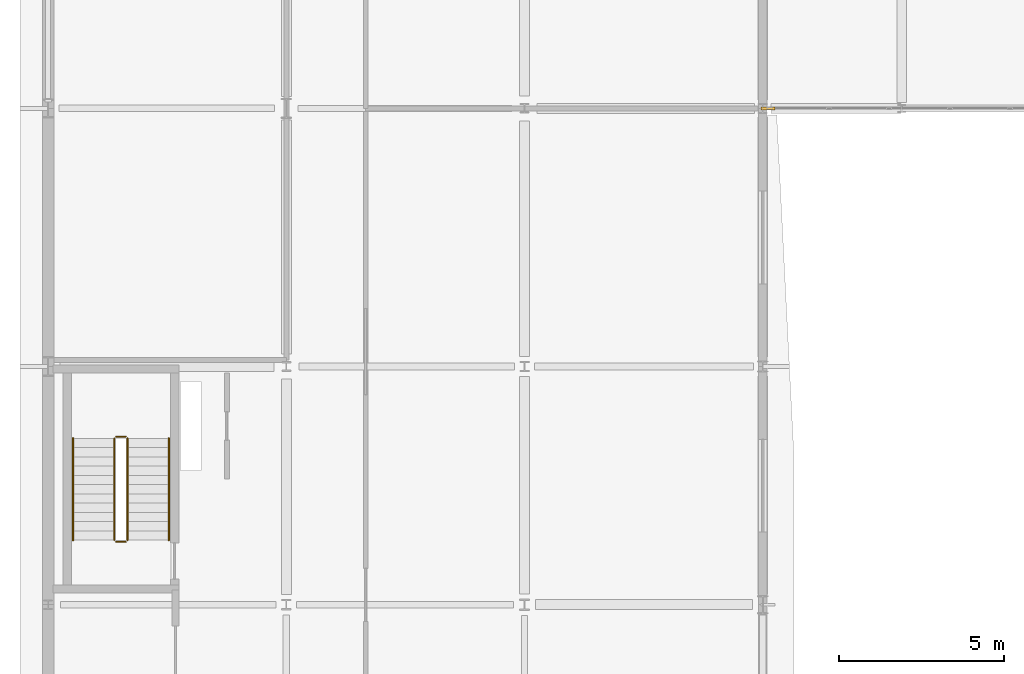
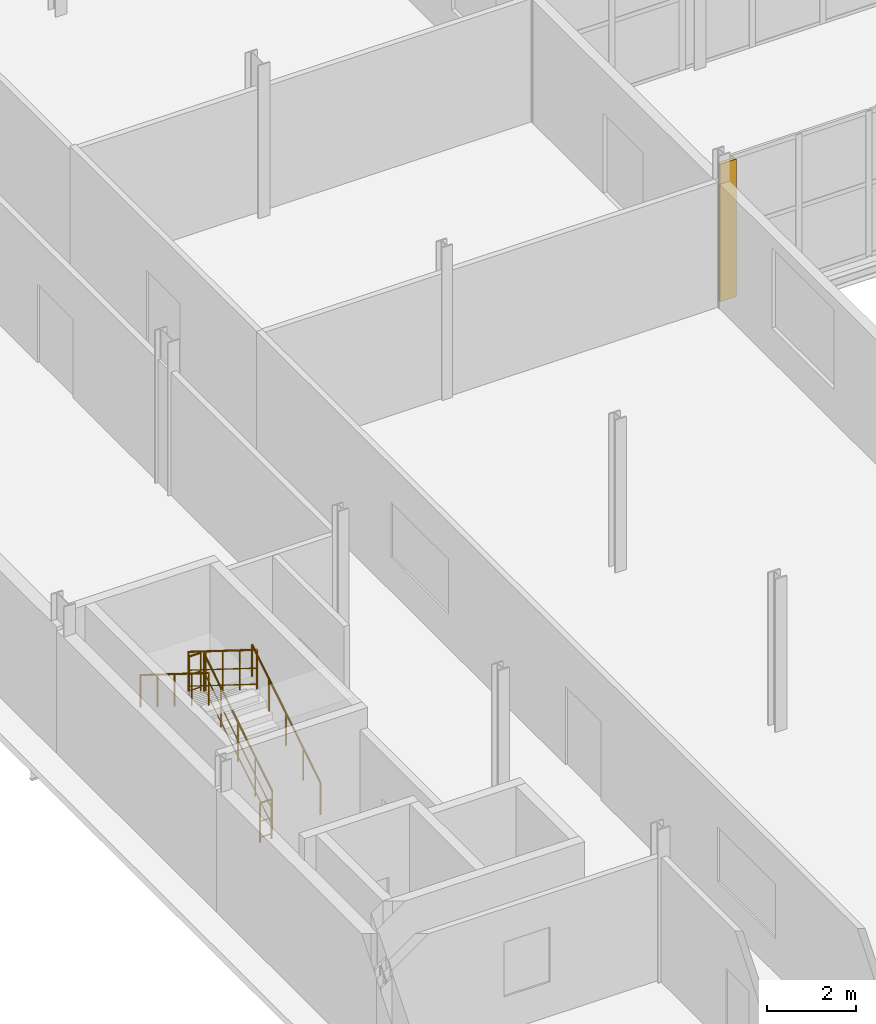
# One storey, part 136 of 138: 6 railings, 1 shading device.
"""IFC4 building model written with IfcOpenShell, lengths in metres."""

from ifc_helpers import new_model, si_unit, direction, frame, origin, origin_2d, place, context, subcontext, project, spatial, rectangle, circle, extrude, material, type_object, element, save


model = new_model("IFC4")

# Units and contexts
model_context = context("Model", 3, precision=1e-05, world=origin(), true_north=direction((0.0, 1.0)))
body_context = subcontext(model_context, "Body", "Model", "MODEL_VIEW")
ifc_project = project(units=[si_unit("LENGTHUNIT", "METRE"), si_unit("AREAUNIT", "SQUARE_METRE"), si_unit("VOLUMEUNIT", "CUBIC_METRE"), si_unit("PLANEANGLEUNIT", "RADIAN"), si_unit("MASSUNIT", "GRAM", prefix="KILO")], contexts=[model_context])

# Site, building, storey
site_placement = place(None, origin())
site = spatial("IfcSite", under=ifc_project, at=site_placement, CompositionType="ELEMENT")
building_placement = place(site_placement, origin())
building = spatial("IfcBuilding", under=site, at=building_placement, Name="Vinh Khe Railworks Police Headquarters", CompositionType="ELEMENT")
storey_placement = place(building_placement, frame((0.0, 0.0, 9.0)))
storey = spatial("IfcBuildingStorey", under=building, at=storey_placement, Name="L02", CompositionType="ELEMENT", Elevation=9.0)

# Railings
ifc_material_1 = material(Name="Painted tubular steel", Category="steel")
railing_type_1 = type_object("IfcRailingType", Name="RL-GUARD-1100", PredefinedType="GUARDRAIL", material=ifc_material_1)
railing_1_placement = place(storey_placement, frame((3.0, 82.949951171875, 0.175048828125)))
element("IfcRailing", 1, at=railing_1_placement, inside=storey, type_object=railing_type_1, Name="L02 ST-02 stair guard 1", PredefinedType="GUARDRAIL", context=body_context, shape_type="SweptSolid", body=[
    extrude(circle(Radius=0.02392578125, at=origin_2d()), frame((0.0, 0.0, 1.076171875), z_axis=(0.0, 0.847998304005, 0.529998940003), x_axis=(-1.0, 0.0, 0.0)), (0.0, 0.0, 1.0), 3.632080078125),
    extrude(circle(Radius=0.01416015625, at=origin_2d()), frame((0.0, 0.0, 0.132080078125), z_axis=(0.0, 0.847998304005, 0.529998940003), x_axis=(-1.0, 0.0, 0.0)), (0.0, 0.0, 1.0), 3.632080078125),
    extrude(circle(Radius=0.01416015625, at=origin_2d()), frame((0.0, 0.0, 0.572021484375), z_axis=(0.0, 0.847998304005, 0.529998940003), x_axis=(-1.0, 0.0, 0.0)), (0.0, 0.0, 1.0), 3.632080078125),
    extrude(circle(Radius=0.02099609375, at=origin_2d()), origin(), (0.0, 0.0, 1.0), 1.052001953125),
    extrude(circle(Radius=0.02099609375, at=origin_2d()), frame((0.0, 0.77001953125, 0.481201171875)), (0.0, 0.0, 1.0), 1.052001953125),
    extrude(circle(Radius=0.02099609375, at=origin_2d()), frame((0.0, 1.5400390625, 0.96240234375)), (0.0, 0.0, 1.0), 1.052001953125),
    extrude(circle(Radius=0.02099609375, at=origin_2d()), frame((0.0, 2.31005859375, 1.44384765625)), (0.0, 0.0, 1.0), 1.052001953125),
    extrude(circle(Radius=0.02099609375, at=origin_2d()), frame((0.0, 3.080078125, 1.925048828125)), (0.0, 0.0, 1.0), 1.052001953125),
])
railing_2_placement = place(storey_placement, frame((2.949951171875, 86.080078125, 2.10009765625)))
element("IfcRailing", 2, at=railing_2_placement, inside=storey, type_object=railing_type_1, Name="L02 ST-02 stair guard 2", PredefinedType="GUARDRAIL", context=body_context, shape_type="SweptSolid", body=[
    extrude(circle(Radius=0.02392578125, at=origin_2d()), frame((0.0, 0.0, 1.076171875), z_axis=(-1.0, 0.0, 0.0), x_axis=(0.0, -1.0, 0.0)), (0.0, 0.0, 1.0), 0.300048828125),
    extrude(circle(Radius=0.01416015625, at=origin_2d()), frame((0.0, 0.0, 0.132080078125), z_axis=(-1.0, 0.0, 0.0), x_axis=(0.0, -1.0, 0.0)), (0.0, 0.0, 1.0), 0.300048828125),
    extrude(circle(Radius=0.01416015625, at=origin_2d()), frame((0.0, 0.0, 0.572021484375), z_axis=(-1.0, 0.0, 0.0), x_axis=(0.0, -1.0, 0.0)), (0.0, 0.0, 1.0), 0.300048828125),
    extrude(circle(Radius=0.02099609375, at=origin_2d()), origin(), (0.0, 0.0, 1.0), 1.052001953125),
    extrude(circle(Radius=0.02099609375, at=origin_2d()), frame((-0.300048828125, 0.0, 0.0)), (0.0, 0.0, 1.0), 1.052001953125),
])
railing_3_placement = place(storey_placement, frame((2.60009765625, 86.030029296875, 2.27490234375)))
element("IfcRailing", 3, at=railing_3_placement, inside=storey, type_object=railing_type_1, Name="L02 ST-02 stair guard 3", PredefinedType="GUARDRAIL", context=body_context, shape_type="SweptSolid", body=[
    extrude(circle(Radius=0.02392578125, at=origin_2d()), frame((0.0, 0.0, 1.076171875), z_axis=(0.0, -0.847998304005, 0.529998940003), x_axis=(1.0, 0.0, 0.0)), (0.0, 0.0, 1.0), 3.632080078125),
    extrude(circle(Radius=0.01416015625, at=origin_2d()), frame((0.0, 0.0, 0.132080078125), z_axis=(0.0, -0.847998304005, 0.529998940003), x_axis=(1.0, 0.0, 0.0)), (0.0, 0.0, 1.0), 3.632080078125),
    extrude(circle(Radius=0.01416015625, at=origin_2d()), frame((0.0, 0.0, 0.572021484375), z_axis=(0.0, -0.847998304005, 0.529998940003), x_axis=(1.0, 0.0, 0.0)), (0.0, 0.0, 1.0), 3.632080078125),
    extrude(circle(Radius=0.02099609375, at=origin_2d()), origin(), (0.0, 0.0, 1.0), 1.052001953125),
    extrude(circle(Radius=0.02099609375, at=origin_2d()), frame((0.0, -0.77001953125, 0.481201171875)), (0.0, 0.0, 1.0), 1.052001953125),
    extrude(circle(Radius=0.02099609375, at=origin_2d()), frame((0.0, -1.5400390625, 0.96240234375)), (0.0, 0.0, 1.0), 1.052001953125),
    extrude(circle(Radius=0.02099609375, at=origin_2d()), frame((0.0, -2.31005859375, 1.44384765625)), (0.0, 0.0, 1.0), 1.052001953125),
    extrude(circle(Radius=0.02099609375, at=origin_2d()), frame((0.0, -3.080078125, 1.925048828125)), (0.0, 0.0, 1.0), 1.052001953125),
])
railing_4_placement = place(storey_placement, frame((2.949951171875, 82.89990234375, 0.0)))
element("IfcRailing", 4, at=railing_4_placement, inside=storey, type_object=railing_type_1, Name="L02 ST-02 stair guard 4", PredefinedType="GUARDRAIL", context=body_context, shape_type="SweptSolid", body=[
    extrude(circle(Radius=0.02392578125, at=origin_2d()), frame((0.0, 0.0, 1.076171875), z_axis=(-1.0, 0.0, 0.0), x_axis=(0.0, -1.0, 0.0)), (0.0, 0.0, 1.0), 0.300048828125),
    extrude(circle(Radius=0.01416015625, at=origin_2d()), frame((0.0, 0.0, 0.132080078125), z_axis=(-1.0, 0.0, 0.0), x_axis=(0.0, -1.0, 0.0)), (0.0, 0.0, 1.0), 0.300048828125),
    extrude(circle(Radius=0.01416015625, at=origin_2d()), frame((0.0, 0.0, 0.572021484375), z_axis=(-1.0, 0.0, 0.0), x_axis=(0.0, -1.0, 0.0)), (0.0, 0.0, 1.0), 0.300048828125),
    extrude(circle(Radius=0.02099609375, at=origin_2d()), origin(), (0.0, 0.0, 1.0), 1.052001953125),
    extrude(circle(Radius=0.02099609375, at=origin_2d()), frame((-0.300048828125, 0.0, 0.0)), (0.0, 0.0, 1.0), 1.052001953125),
])
ifc_material_2 = material(Name="Brushed stainless steel", Category="steel")
railing_type_2 = type_object("IfcRailingType", Name="RL-HAND-900", PredefinedType="HANDRAIL", material=ifc_material_2)
railing_5_placement = place(storey_placement, frame((4.25, 82.949951171875, 0.175048828125)))
element("IfcRailing", 5, at=railing_5_placement, inside=storey, type_object=railing_type_2, Name="L02 ST-02 stair handrail 1", PredefinedType="HANDRAIL", context=body_context, shape_type="SweptSolid", body=[
    extrude(circle(Radius=0.02392578125, at=origin_2d()), frame((0.0, 0.0, 0.8759765625), z_axis=(0.0, 0.847998304005, 0.529998940003), x_axis=(-1.0, 0.0, 0.0)), (0.0, 0.0, 1.0), 3.632080078125),
    extrude(circle(Radius=0.02099609375, at=origin_2d()), origin(), (0.0, 0.0, 1.0), 0.851806640625),
    extrude(circle(Radius=0.02099609375, at=origin_2d()), frame((0.0, 0.77001953125, 0.481201171875)), (0.0, 0.0, 1.0), 0.851806640625),
    extrude(circle(Radius=0.02099609375, at=origin_2d()), frame((0.0, 1.5400390625, 0.96240234375)), (0.0, 0.0, 1.0), 0.851806640625),
    extrude(circle(Radius=0.02099609375, at=origin_2d()), frame((0.0, 2.31005859375, 1.44384765625)), (0.0, 0.0, 1.0), 0.851806640625),
    extrude(circle(Radius=0.02099609375, at=origin_2d()), frame((0.0, 3.080078125, 1.925048828125)), (0.0, 0.0, 1.0), 0.851806640625),
])
railing_6_placement = place(storey_placement, frame((1.35009765625, 86.030029296875, 2.27490234375)))
element("IfcRailing", 6, at=railing_6_placement, inside=storey, type_object=railing_type_2, Name="L02 ST-02 stair handrail 2", PredefinedType="HANDRAIL", context=body_context, shape_type="SweptSolid", body=[
    extrude(circle(Radius=0.02392578125, at=origin_2d()), frame((0.0, 0.0, 0.8759765625), z_axis=(0.0, -0.847998304005, 0.529998940003), x_axis=(1.0, 0.0, 0.0)), (0.0, 0.0, 1.0), 3.632080078125),
    extrude(circle(Radius=0.02099609375, at=origin_2d()), origin(), (0.0, 0.0, 1.0), 0.851806640625),
    extrude(circle(Radius=0.02099609375, at=origin_2d()), frame((0.0, -0.77001953125, 0.481201171875)), (0.0, 0.0, 1.0), 0.851806640625),
    extrude(circle(Radius=0.02099609375, at=origin_2d()), frame((0.0, -1.5400390625, 0.96240234375)), (0.0, 0.0, 1.0), 0.851806640625),
    extrude(circle(Radius=0.02099609375, at=origin_2d()), frame((0.0, -2.31005859375, 1.44384765625)), (0.0, 0.0, 1.0), 0.851806640625),
    extrude(circle(Radius=0.02099609375, at=origin_2d()), frame((0.0, -3.080078125, 1.925048828125)), (0.0, 0.0, 1.0), 0.851806640625),
])

# Shading device
ifc_material_3 = material(Name="Salvaged ironwood timber", Category="wood")
shading_device_type = type_object("IfcShadingDeviceType", Name="SHD-MSF-01", PredefinedType="JALOUSIE", material=ifc_material_3)
shading_device_placement = place(storey_placement, frame((22.360107421875, 96.0, 0.10009765625), z_axis=(0.0, 0.0, 1.0), x_axis=(1.0, 0.0, 0.0)))
element("IfcShadingDevice", 7, at=shading_device_placement, inside=storey, type_object=shading_device_type, Name="Monsoon Court Solar Fin V5 L02-6", PredefinedType="JALOUSIE", context=body_context, shape_type="SweptSolid", body=[
    extrude(rectangle(XDim=0.419921875, YDim=0.080078125, at=origin_2d()), origin(), (0.0, 0.0, 1.0), 3.780029296875),
])

save(model, "model.ifc")
